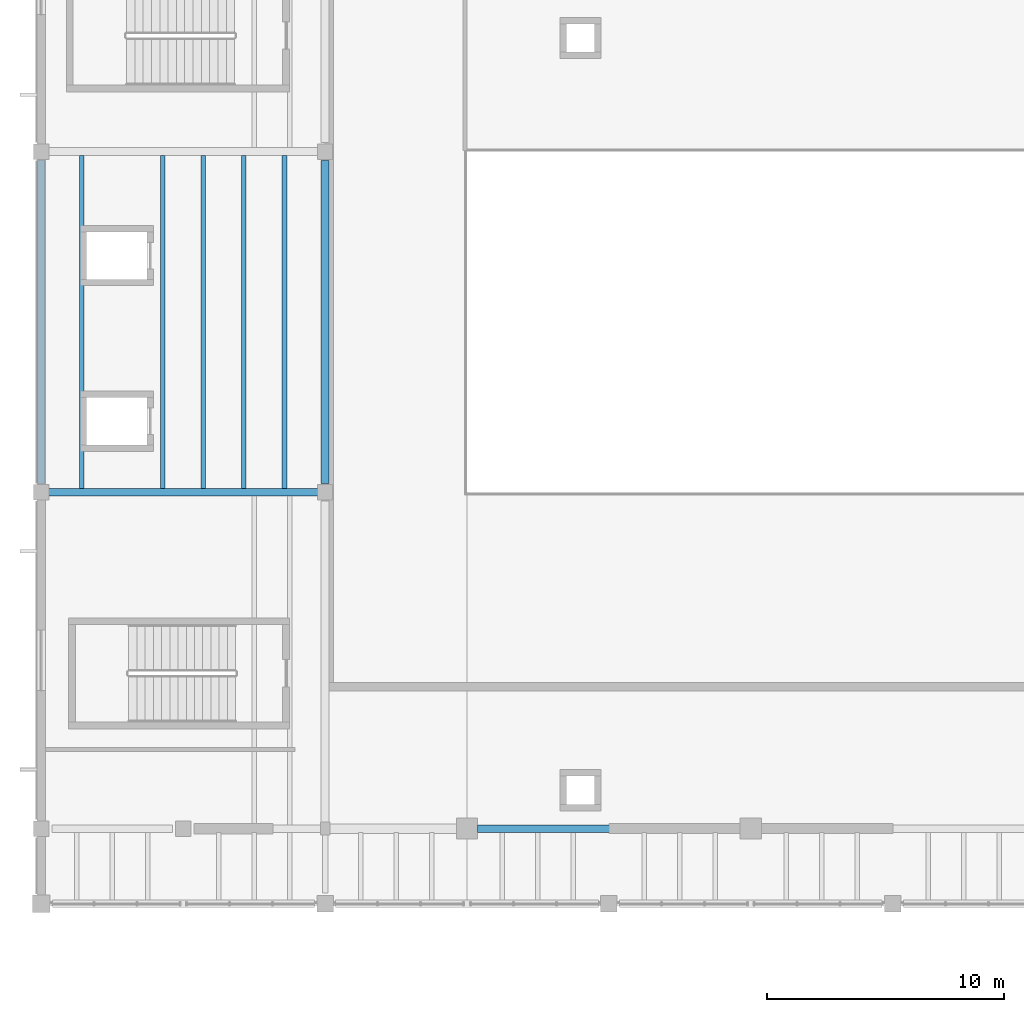
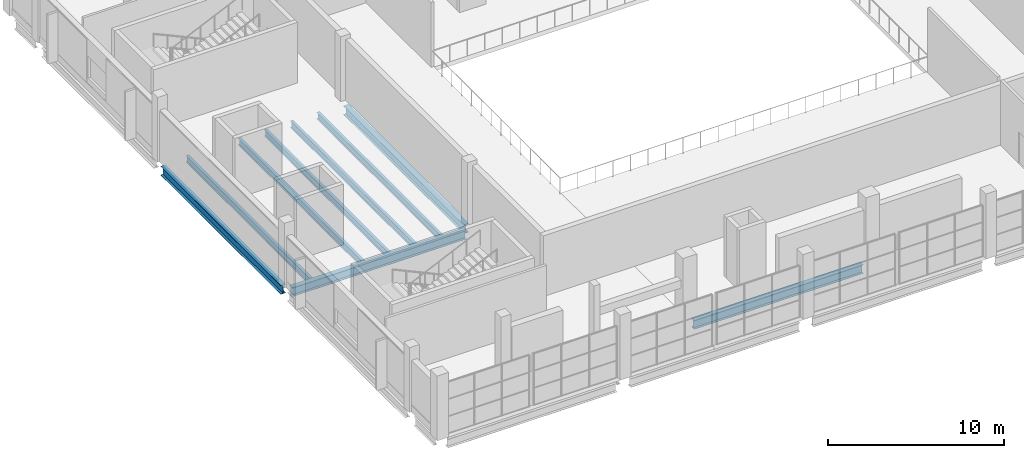
# One storey, part 19 of 63: 9 beams.
"""IFC4 building model written with IfcOpenShell, lengths in metres."""

import ifcopenshell
import ifcopenshell.guid

model = None  # the IFC model being written
_history = None  # IfcOwnerHistory: only IFC2X3 demands one
_inside = {}  # id of a spatial element -> (the spatial element, [elements in it])
_under = {}  # id of a project, library or spatial element -> (it, [spatial elements below it])
_declared = {}  # id of a project -> (the project, [libraries it declares])
_typed = {}  # id of a type object -> (the type object, [elements of that type])
_made_of = {}  # id of a material, layer set ... -> (it, [elements and type objects made of it])


def new_model(schema):
    """Start an empty IFC model of exactly this schema.

    Asked for "IFC4X3", IfcOpenShell would pick the latest addendum, in which some entities
    have other attributes; the version numbers below select the first issue.
    IFC2X3 requires an IfcOwnerHistory on every rooted entity: one is made here for all.
    """
    global model, _history
    if schema == "IFC4X3":
        model = ifcopenshell.file(schema_version=(4, 3, 0, 0))
    else:
        model = ifcopenshell.file(schema=schema)
    _inside.clear()
    _under.clear()
    _declared.clear()
    _typed.clear()
    _made_of.clear()
    _history = None
    if model.schema == "IFC2X3":
        org = make("IfcOrganization", Name="unknown")
        user = make(
            "IfcPersonAndOrganization",
            ThePerson=make("IfcPerson", FamilyName="unknown"),
            TheOrganization=org,
        )
        app = make(
            "IfcApplication",
            ApplicationDeveloper=org,
            Version="unknown",
            ApplicationFullName="unknown",
            ApplicationIdentifier="unknown",
        )
        _history = make(
            "IfcOwnerHistory",
            OwningUser=user,
            OwningApplication=app,
            ChangeAction="ADDED",
            CreationDate=0,
        )
    return model


def make(cls, **values):
    """One entity of the class cls with the attributes given. An attribute that is None is left unset."""
    return model.create_entity(
        cls, **{name: value for name, value in values.items() if value is not None}
    )


def rooted(cls, **values):
    """An entity with a GlobalId (a new one), such as an element, a storey or a relation."""
    return make(cls, GlobalId=ifcopenshell.guid.new(), OwnerHistory=_history, **values)


def si_unit(unit_type, name, prefix=None):
    """IfcSIUnit, for example si_unit("LENGTHUNIT", "METRE", prefix="MILLI")."""
    return make("IfcSIUnit", UnitType=unit_type, Prefix=prefix, Name=name)


def assignment(units):
    """IfcUnitAssignment: the units of a project."""
    return None if units is None else make("IfcUnitAssignment", Units=units)


def point(xyz):
    """IfcCartesianPoint."""
    return None if xyz is None else make("IfcCartesianPoint", Coordinates=xyz)


def direction(xyz):
    """IfcDirection."""
    return None if xyz is None else make("IfcDirection", DirectionRatios=xyz)


def frame(location, z_axis=None, x_axis=None):
    """IfcAxis2Placement3D, a coordinate frame: its origin and axes. An axis left out is left unset."""
    return make(
        "IfcAxis2Placement3D",
        Location=point(location),
        Axis=direction(z_axis),
        RefDirection=direction(x_axis),
    )


def frame_2d(location, x_axis=None):
    """IfcAxis2Placement2D, a coordinate frame in the plane: its origin and x axis."""
    return make(
        "IfcAxis2Placement2D", Location=point(location), RefDirection=direction(x_axis)
    )


def origin():
    """The frame at (0, 0, 0) with its axes left unset."""
    return frame((0.0, 0.0, 0.0))


def origin_2d():
    """The frame at (0, 0) in the plane with its x axis left unset."""
    return frame_2d((0.0, 0.0))


def place(relative_to, where):
    """IfcLocalPlacement: puts the frame where relative to a parent placement (None: the world)."""
    return make(
        "IfcLocalPlacement", PlacementRelTo=relative_to, RelativePlacement=where
    )


def context(
    kind, dimensions, precision=None, world=None, true_north=None, identifier=None
):
    """IfcGeometricRepresentationContext, for example the 3D "Model" context."""
    return make(
        "IfcGeometricRepresentationContext",
        ContextIdentifier=identifier,
        ContextType=kind,
        CoordinateSpaceDimension=dimensions,
        Precision=precision,
        WorldCoordinateSystem=world,
        TrueNorth=true_north,
    )


def subcontext(parent, identifier, kind, view, scale=None):
    """IfcGeometricRepresentationSubContext, for example "Body" below "Model"."""
    return make(
        "IfcGeometricRepresentationSubContext",
        ContextIdentifier=identifier,
        ContextType=kind,
        ParentContext=parent,
        TargetScale=scale,
        TargetView=view,
    )


def project(units=None, contexts=None):
    """IfcProject with its units and contexts."""
    return rooted(
        "IfcProject",
        Name="project",
        RepresentationContexts=contexts,
        UnitsInContext=assignment(units),
    )


def spatial(cls, under=None, at=None, **own):
    """A site, building, storey or space (cls), placed at a placement, below another one or the project."""
    s = rooted(cls, ObjectPlacement=at, **own)
    if under is not None:
        _under.setdefault(under.id(), (under, []))[1].append(s)
    return s


def profile(cls, at=None, kind="AREA", **sizes):
    """A parametric profile (cls). Its sizes go by their IFC names, for example OverallWidth=200.0."""
    return make(cls, ProfileType=kind, Position=at, **sizes)


def i_section(**sizes):
    """IfcIShapeProfileDef."""
    return profile("IfcIShapeProfileDef", **sizes)


def extrude(swept, where, along, depth):
    """IfcExtrudedAreaSolid: the profile swept, set in the frame where, extruded along a direction by depth."""
    return make(
        "IfcExtrudedAreaSolid",
        SweptArea=swept,
        Position=where,
        ExtrudedDirection=direction(along),
        Depth=depth,
    )


def shape(context_of_items, identifier, shape_type, items):
    """IfcShapeRepresentation: the items that make up one representation, for example the "Body"."""
    return make(
        "IfcShapeRepresentation",
        ContextOfItems=context_of_items,
        RepresentationIdentifier=identifier,
        RepresentationType=shape_type,
        Items=items,
    )


def material(Name=None, Category=None):
    """IfcMaterial."""
    return make("IfcMaterial", Name=Name, Category=Category)


def material_profile(
    of_material, cross_section, Name=None, Category=None, Priority=None
):
    """IfcMaterialProfile: a cross section and its material."""
    return make(
        "IfcMaterialProfile",
        Name=Name,
        Material=of_material,
        Profile=cross_section,
        Priority=Priority,
        Category=Category,
    )


def profile_set(profiles, Name=None, composite=None):
    """IfcMaterialProfileSet."""
    return make(
        "IfcMaterialProfileSet",
        Name=Name,
        MaterialProfiles=profiles,
        CompositeProfile=composite,
    )


def made_of(thing, what):
    """Note that an element or type object is made of a material, layer set ...; save() writes the relation."""
    if what is not None:
        _made_of.setdefault(what.id(), (what, []))[1].append(thing)
    return thing


def type_object(cls, material=None, **own):
    """A type object (cls), such as IfcWallType, which elements share."""
    return made_of(rooted(cls, **own), material)


def element(
    cls,
    number,
    at=None,
    inside=None,
    cuts=None,
    type_object=None,
    material=None,
    context=None,
    identifier="Body",
    shape_type=None,
    held_by="IfcProductDefinitionShape",
    body=None,
    shapes=None,
    **own,
):
    """One element of the class cls, such as IfcWall. Its Tag is "e" and its number.

    at: its placement. inside: the storey or other place that contains it. cuts: it is an
    opening in that element (IfcRelVoidsElement). A single representation is given by context,
    identifier, shape_type and body (its items); several are given by shapes. held_by: the class
    of the entity that holds the representations. save() writes the other relations.
    """
    e = rooted(cls, Tag="e%d" % number, ObjectPlacement=at, **own)
    if body is not None:
        shapes = [shape(context, identifier, shape_type, body)]
    if shapes is not None:
        e.Representation = make(held_by, Representations=shapes)
    if inside is not None:
        _inside.setdefault(inside.id(), (inside, []))[1].append(e)
    if cuts is not None:
        rooted(
            "IfcRelVoidsElement", RelatingBuildingElement=cuts, RelatedOpeningElement=e
        )
    if type_object is not None:
        _typed.setdefault(type_object.id(), (type_object, []))[1].append(e)
    return made_of(e, material)


def aggregate(whole, parts):
    """IfcRelAggregates: a whole, such as a stair, and the parts it consists of."""
    return rooted("IfcRelAggregates", RelatingObject=whole, RelatedObjects=parts)


def save(model, path):
    """Write the relations noted so far, then the file.

    IfcRelAggregates (storeys below a building ...), IfcRelContainedInSpatialStructure (elements
    in a storey), IfcRelDefinesByType, IfcRelAssociatesMaterial and IfcRelDeclares: one each for
    every whole, place, type object, material and project.
    """
    for whole, parts in _under.values():
        aggregate(whole, parts)
    for where, things in _inside.values():
        rooted(
            "IfcRelContainedInSpatialStructure",
            RelatedElements=things,
            RelatingStructure=where,
        )
    for kind, things in _typed.values():
        rooted("IfcRelDefinesByType", RelatedObjects=things, RelatingType=kind)
    for what, things in _made_of.values():
        rooted("IfcRelAssociatesMaterial", RelatedObjects=things, RelatingMaterial=what)
    for by, libraries in _declared.values():
        rooted("IfcRelDeclares", RelatingContext=by, RelatedDefinitions=libraries)
    model.write(path)


model = new_model("IFC4")

# Units and contexts
model_context = context("Model", 3, precision=1e-05, world=origin(), true_north=direction((0.0, 1.0)))
body_context = subcontext(model_context, "Body", "Model", "MODEL_VIEW")
ifc_project = project(units=[si_unit("LENGTHUNIT", "METRE"), si_unit("AREAUNIT", "SQUARE_METRE"), si_unit("VOLUMEUNIT", "CUBIC_METRE"), si_unit("PLANEANGLEUNIT", "RADIAN"), si_unit("MASSUNIT", "GRAM", prefix="KILO")], contexts=[model_context])

# Site, building, storey
site_placement = place(None, origin())
site = spatial("IfcSite", under=ifc_project, at=site_placement, CompositionType="ELEMENT")
building_placement = place(site_placement, origin())
building = spatial("IfcBuilding", under=site, at=building_placement, Name="Kelmvaro Bay Concert Hall", CompositionType="ELEMENT")
storey_placement = place(building_placement, frame((0.0, 0.0, 13.800048828125)))
storey = spatial("IfcBuildingStorey", under=building, at=storey_placement, Name="L03", CompositionType="ELEMENT", Elevation=13.800048828125)

# Beams
ifc_material_1 = material(Name="Steel ASTM A992 Grade 50", Category="steel")
ifc_material_profile_1 = material_profile(ifc_material_1, i_section(OverallWidth=0.19189453125, OverallDepth=0.4619140625, WebThickness=0.010498046875, FlangeThickness=0.017578125, at=origin_2d()), Name="W18X60")
ifc_profile_set_1 = profile_set([ifc_material_profile_1], Name="Steel ASTM A992 Grade 50")
beam_type_1 = type_object("IfcBeamType", Name="Acoustic Box Floor Joist W18x60", PredefinedType="JOIST", material=ifc_profile_set_1)
for number, where, z_axis, x_axis, name in (
    (1, (1.71435546875, 82.9619140625, -0.531005859375), (0.0, 1.0, 0.0), (-1.0, 0.0, 0.0), "L03 Floor Joist JST-L03-1638"),
    (2, (5.142822265625, 82.9619140625, -0.531005859375), (0.0, 1.0, 0.0), (-1.0, 0.0, 0.0), "L03 Floor Joist JST-L03-1639"),
    (3, (6.857177734375, 82.9619140625, -0.531005859375), (0.0, 1.0, 0.0), (-1.0, 0.0, 0.0), "L03 Floor Joist JST-L03-1640"),
    (4, (8.5712890625, 82.9619140625, -0.531005859375), (0.0, 1.0, 0.0), (-1.0, 0.0, 0.0), "L03 Floor Joist JST-L03-1641"),
    (5, (10.28564453125, 82.9619140625, -0.531005859375), (0.0, 1.0, 0.0), (-1.0, 0.0, 0.0), "L03 Floor Joist JST-L03-1642"),
):
    element("IfcBeam", number, at=place(storey_placement, frame(where, z_axis=z_axis, x_axis=x_axis)), inside=storey, type_object=beam_type_1, Name=name, PredefinedType="JOIST", context=body_context, shape_type="SweptSolid", body=[
        extrude(i_section(OverallWidth=0.19189453125, OverallDepth=0.4619140625, WebThickness=0.010498046875, FlangeThickness=0.017578125, at=origin_2d()), origin(), (0.0, 0.0, 1.0), 14.076171875),
    ])
ifc_material_2 = material(Name="Steel ASTM A992 Grade 50", Category="steel")
ifc_material_profile_2 = material_profile(ifc_material_2, i_section(OverallWidth=0.323974609375, OverallDepth=0.611083984375, WebThickness=0.0126953125, FlangeThickness=0.01904296875, at=origin_2d()), Name="W24X104")
ifc_profile_set_2 = profile_set([ifc_material_profile_2], Name="Steel ASTM A992 Grade 50")
beam_type_2 = type_object("IfcBeamType", Name="Foyer Frame Girder W24x104", PredefinedType="BEAM", material=ifc_profile_set_2)
beam_1_placement = place(storey_placement, frame((18.449951171875, 68.580078125, -0.60546875), z_axis=(1.0, 0.0, 0.0), x_axis=(0.0, 1.0, 0.0)))
element("IfcBeam", 6, at=beam_1_placement, inside=storey, type_object=beam_type_2, Name="L03 Girder BM-L03-EW-1378", PredefinedType="BEAM", context=body_context, shape_type="SweptSolid", body=[
    extrude(i_section(OverallWidth=0.323974609375, OverallDepth=0.611083984375, WebThickness=0.0126953125, FlangeThickness=0.01904296875, at=origin_2d()), origin(), (0.0, 0.0, 1.0), 11.10009765625),
])
beam_2_placement = place(storey_placement, frame((0.27490234375, 82.800048828125, -0.60546875), z_axis=(1.0, 0.0, 0.0), x_axis=(0.0, 1.0, 0.0)))
element("IfcBeam", 7, at=beam_2_placement, inside=storey, type_object=beam_type_2, Name="L03 Girder BM-L03-EW-1386", PredefinedType="BEAM", context=body_context, shape_type="SweptSolid", body=[
    extrude(i_section(OverallWidth=0.323974609375, OverallDepth=0.611083984375, WebThickness=0.0126953125, FlangeThickness=0.01904296875, at=origin_2d()), origin(), (0.0, 0.0, 1.0), 11.4501953125),
])
for number, where, z_axis, x_axis, name in (
    (8, (0.0, 83.175048828125, -0.60546875), (0.0, 1.0, 0.0), (-1.0, 0.0, 0.0), "L03 Girder BM-L03-NS-1414"),
    (9, (12.0, 83.175048828125, -0.60546875), (0.0, 1.0, 0.0), (-1.0, 0.0, 0.0), "L03 Girder BM-L03-NS-1422"),
):
    element("IfcBeam", number, at=place(storey_placement, frame(where, z_axis=z_axis, x_axis=x_axis)), inside=storey, type_object=beam_type_2, Name=name, PredefinedType="BEAM", context=body_context, shape_type="SweptSolid", body=[
        extrude(i_section(OverallWidth=0.323974609375, OverallDepth=0.611083984375, WebThickness=0.0126953125, FlangeThickness=0.01904296875, at=origin_2d()), origin(), (0.0, 0.0, 1.0), 13.64990234375),
    ])

save(model, "model.ifc")
